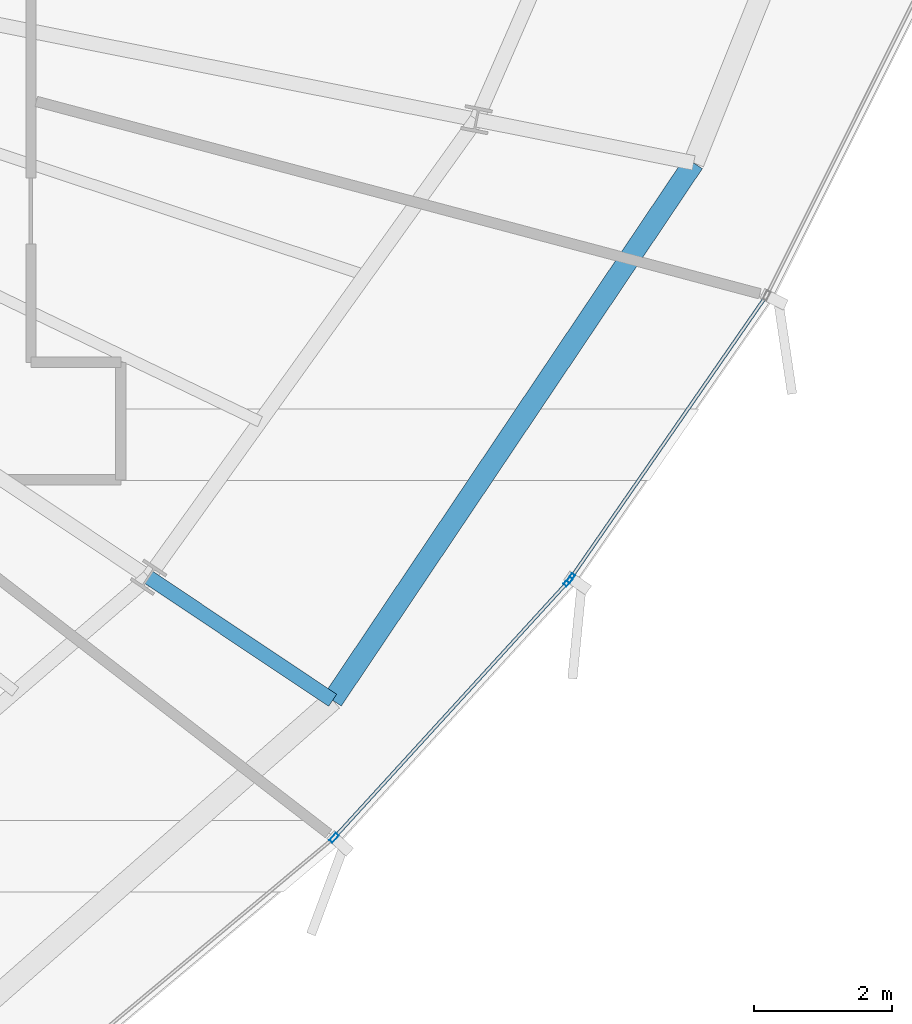
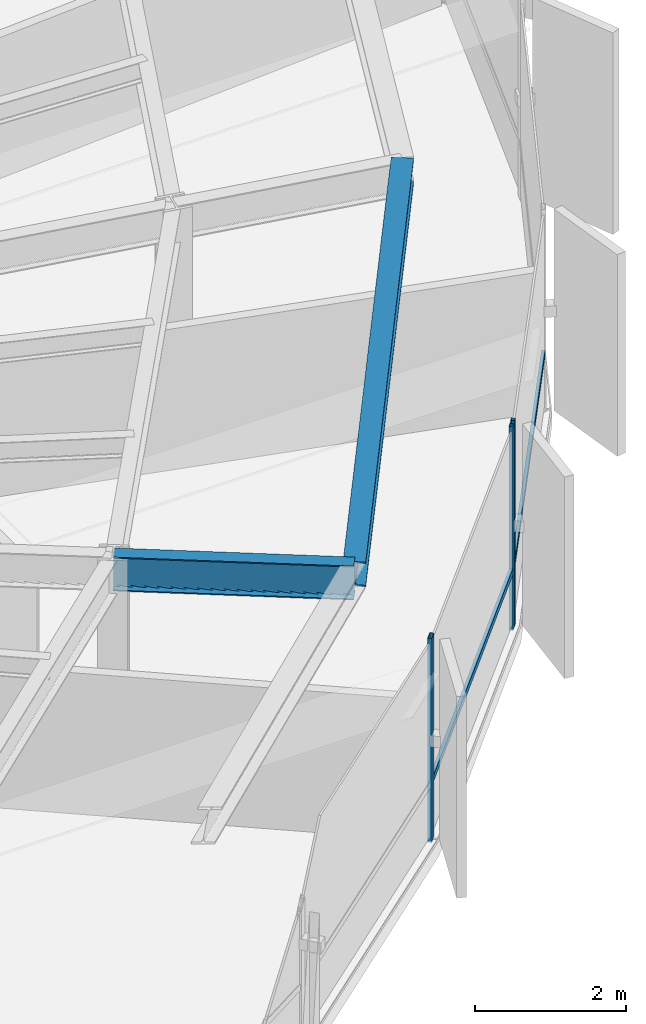
# One storey, part 14 of 35: 5 members, 2 beams, 2 elements without a shape of their own.
"""IFC4 building model written with IfcOpenShell, lengths in metres."""

from ifc_helpers import new_model, si_unit, direction, frame, origin, origin_2d, place, context, subcontext, project, spatial, hollow_rectangle, i_section, extrude, source, transform, mapped, material, layer, layer_set, material_profile, profile_set, type_object, element, aggregate, save


model = new_model("IFC4")

# Units and contexts
model_context = context("Model", 3, precision=1e-05, world=origin(), true_north=direction((0.0, 1.0)))
body_context = subcontext(model_context, "Body", "Model", "MODEL_VIEW")
ifc_project = project(units=[si_unit("LENGTHUNIT", "METRE"), si_unit("AREAUNIT", "SQUARE_METRE"), si_unit("VOLUMEUNIT", "CUBIC_METRE"), si_unit("PLANEANGLEUNIT", "RADIAN"), si_unit("MASSUNIT", "GRAM", prefix="KILO"), si_unit("THERMODYNAMICTEMPERATUREUNIT", "KELVIN")], contexts=[model_context])

# Site, building, storey
site_placement = place(None, origin())
site = spatial("IfcSite", under=ifc_project, at=site_placement, CompositionType="ELEMENT")
building_placement = place(site_placement, origin())
building = spatial("IfcBuilding", under=site, at=building_placement, Name="Kethvar Cultural Tower", CompositionType="ELEMENT")
storey_placement = place(building_placement, frame((0.0, 0.0, 146.550048828125)))
storey = spatial("IfcBuildingStorey", under=building, at=storey_placement, Name="L37", CompositionType="ELEMENT", Elevation=146.550048828125)

# Beams
ifc_material_1 = material(Name="Steel S355J2", Category="steel")
ifc_material_profile_1 = material_profile(ifc_material_1, i_section(OverallWidth=0.2099609375, OverallDepth=0.550048828125, WebThickness=0.010986328125, FlangeThickness=0.01708984375, FilletRadius=0.02392578125, at=origin_2d()), Name="Steel S355J2 — IPE550")
ifc_profile_set_1 = profile_set([ifc_material_profile_1], Name="Steel S355J2 — IPE550")
beam_type_1 = type_object("IfcBeamType", Name="BM-IPE550", PredefinedType="BEAM", material=ifc_profile_set_1)
shared_shape_1 = source(origin(), body_context, "Body", "SweptSolid", [
    extrude(i_section(OverallWidth=0.2099609375, OverallDepth=0.550048828125, WebThickness=0.010986328125, FlangeThickness=0.01708984375, FilletRadius=0.02392578125, at=origin_2d()), origin(), (0.0, 0.0, 1.0), 3.199951171875),
])
beam_1_placement = place(storey_placement, frame((62.898681640625, 17.043212890625, 3.02294921875), z_axis=(0.831462943996, -0.555580212716, 0.0), x_axis=(0.555580212716, 0.831462943996, 0.0)))
element("IfcBeam", 1, at=beam_1_placement, inside=storey, type_object=beam_type_1, Name="L37 Perimeter Cantilever Beam RC-15", PredefinedType="BEAM", context=body_context, shape_type="MappedRepresentation", body=[
    mapped(shared_shape_1, transform((0.0, 0.0, 0.0), scale=1.0)),
])
ifc_material_profile_2 = material_profile(ifc_material_1, i_section(OverallWidth=0.300048828125, OverallDepth=0.39990234375, WebThickness=0.013427734375, FlangeThickness=0.02392578125, FilletRadius=0.027099609375, at=origin_2d()), Name="Steel S355J2 — HEB400")
ifc_profile_set_2 = profile_set([ifc_material_profile_2], Name="Steel S355J2 — HEB400")
beam_type_2 = type_object("IfcBeamType", Name="BM-SP400", PredefinedType="SPANDREL", material=ifc_profile_set_2)
shared_shape_2 = source(origin(), body_context, "Body", "SweptSolid", [
    extrude(i_section(OverallWidth=0.300048828125, OverallDepth=0.39990234375, WebThickness=0.013427734375, FlangeThickness=0.02392578125, FilletRadius=0.027099609375, at=origin_2d()), origin(), (0.0, 0.0, 1.0), 9.355224609375),
])
beam_2_placement = place(storey_placement, frame((65.559326171875, 15.265380859375, 3.097900390625), z_axis=(0.557731714622, 0.830021285573, 0.0), x_axis=(-0.830021285573, 0.557731714622, 0.0)))
element("IfcBeam", 2, at=beam_2_placement, inside=storey, type_object=beam_type_2, Name="L37 Perimeter Spandrel Beam SP-15", PredefinedType="SPANDREL", context=body_context, shape_type="MappedRepresentation", body=[
    mapped(shared_shape_2, transform((0.0, 0.0, 0.0), scale=1.0)),
])

# Curtain wall, members
ifc_material_2 = material(Name="Aluminium 6063-T6", Category="aluminium")
ifc_layer = layer(ifc_material_2, 0.179931640625, Name="Aluminium 6063-T6", Category="aluminium")
ifc_layer_set = layer_set([ifc_layer], Name="Aluminium 6063-T6 (180 mm)")
curtain_wall_type = type_object("IfcCurtainWallType", Name="CW-SYS-04-Z34", PredefinedType="NOTDEFINED", material=ifc_layer_set)
curtain_wall_1_placement = place(storey_placement, origin())
curtain_wall_1 = element("IfcCurtainWall", 3, at=curtain_wall_1_placement, inside=storey, type_object=curtain_wall_type, Name="L37 Curtain Wall Run 05", PredefinedType="NOTDEFINED")
ifc_material_profile_3 = material_profile(ifc_material_2, hollow_rectangle(XDim=0.06005859375, YDim=0.139892578125, WallThickness=0.0048828125, at=origin_2d()), Name="Aluminium 6063-T6 — RHS140x60x5")
ifc_profile_set_3 = profile_set([ifc_material_profile_3], Name="Aluminium 6063-T6 — RHS140x60x5")
member_type_1 = type_object("IfcMemberType", Name="CW-SYS-04-Z34-MUL", PredefinedType="MULLION", material=ifc_profile_set_3)
shared_shape_3 = source(origin(), body_context, "Body", "SweptSolid", [
    extrude(hollow_rectangle(XDim=0.06005859375, YDim=0.139892578125, WallThickness=0.0048828125, at=origin_2d()), origin(), (0.0, 0.0, 1.0), 3.300048828125),
])
member_1_placement = place(storey_placement, frame((65.579345703125, 13.27685546875, 0.0), z_axis=(0.0, 0.0, 1.0), x_axis=(-0.738361183053, 0.674405488827, 0.0)))
member_1 = element("IfcMember", 4, at=member_1_placement, type_object=member_type_1, Name="CW-L37-R05 Mullion 6", PredefinedType="MULLION", context=body_context, shape_type="MappedRepresentation", body=[
    mapped(shared_shape_3, transform((0.0, 0.0, 0.0), scale=1.0)),
])
member_2_placement = place(storey_placement, frame((68.9619140625, 16.97998046875, 0.0), z_axis=(0.0, 0.0, 1.0), x_axis=(-0.738361183053, 0.674405488827, 0.0)))
member_2 = element("IfcMember", 5, at=member_2_placement, type_object=member_type_1, Name="CW-L37-R05 Mullion 7", PredefinedType="MULLION", context=body_context, shape_type="MappedRepresentation", body=[
    mapped(shared_shape_3, transform((0.0, 0.0, 0.0), scale=1.0)),
])

# Curtain wall, member
curtain_wall_2_placement = place(storey_placement, origin())
curtain_wall_2 = element("IfcCurtainWall", 6, at=curtain_wall_2_placement, inside=storey, type_object=curtain_wall_type, Name="L37 Curtain Wall Run 06", PredefinedType="NOTDEFINED")
member_3_placement = place(storey_placement, frame((69.001220703125, 17.029296875, 0.0), z_axis=(0.0, 0.0, 1.0), x_axis=(-0.822124168926, 0.569308221325, 0.0)))
member_3 = element("IfcMember", 7, at=member_3_placement, type_object=member_type_1, Name="CW-L37-R06 Mullion 1", PredefinedType="MULLION", context=body_context, shape_type="MappedRepresentation", body=[
    mapped(shared_shape_3, transform((0.0, 0.0, 0.0), scale=1.0)),
])

# Member
ifc_material_profile_4 = material_profile(ifc_material_2, hollow_rectangle(XDim=0.050048828125, YDim=0.10009765625, WallThickness=0.00390625, at=origin_2d()), Name="Aluminium 6063-T6 — RHS100x50x4")
ifc_profile_set_4 = profile_set([ifc_material_profile_4], Name="Aluminium 6063-T6 — RHS100x50x4")
member_type_2 = type_object("IfcMemberType", Name="CW-SYS-04-Z34-TRN", PredefinedType="USERDEFINED", material=ifc_profile_set_4)
shared_shape_4 = source(origin(), body_context, "Body", "SweptSolid", [
    extrude(hollow_rectangle(XDim=0.050048828125, YDim=0.10009765625, WallThickness=0.00390625, at=origin_2d()), origin(), (0.0, 0.0, 1.0), 4.96826171875),
])
member_4_placement = place(storey_placement, frame((65.6083984375, 13.30859375, 0.949951171875), z_axis=(0.674392862345, 0.738372715651, 0.0), x_axis=(-0.738372715651, 0.674392862345, 0.0)))
member_4 = element("IfcMember", 8, at=member_4_placement, type_object=member_type_2, Name="CW-L37-R05 Transom 6", ObjectType="TRANSOM", PredefinedType="USERDEFINED", context=body_context, shape_type="MappedRepresentation", body=[
    mapped(shared_shape_4, transform((0.0, 0.0, 0.0), scale=1.0)),
])

aggregate(curtain_wall_1, [member_1, member_2, member_4])

shared_shape_5 = source(origin(), body_context, "Body", "SweptSolid", [
    extrude(hollow_rectangle(XDim=0.050048828125, YDim=0.10009765625, WallThickness=0.00390625, at=origin_2d()), origin(), (0.0, 0.0, 1.0), 4.93701171875),
])
member_5_placement = place(storey_placement, frame((69.00341796875, 17.03271484375, 0.949951171875), z_axis=(0.569289692536, 0.822136999515, 0.0), x_axis=(-0.822136999515, 0.569289692536, 0.0)))
member_5 = element("IfcMember", 9, at=member_5_placement, type_object=member_type_2, Name="CW-L37-R06 Transom 1", ObjectType="TRANSOM", PredefinedType="USERDEFINED", context=body_context, shape_type="MappedRepresentation", body=[
    mapped(shared_shape_5, transform((0.0, 0.0, 0.0), scale=1.0)),
])

aggregate(curtain_wall_2, [member_3, member_5])

save(model, "model.ifc")
